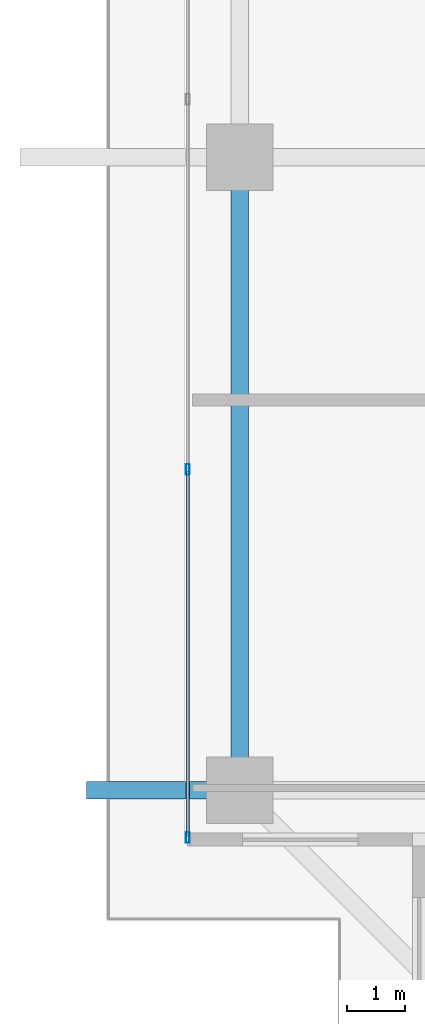
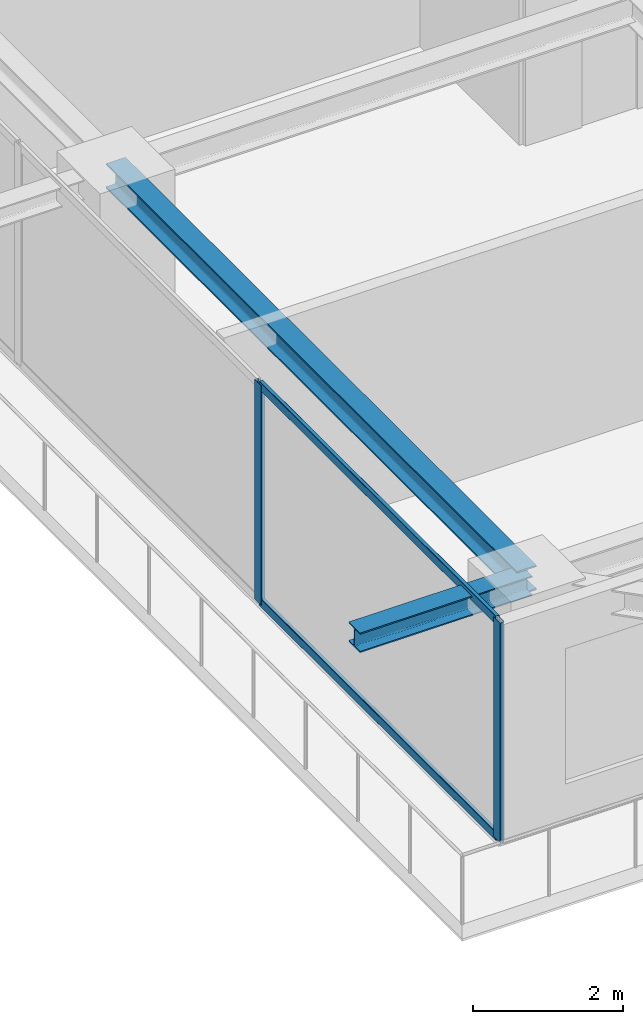
# One storey, part 3 of 37: 4 members, 2 beams, 1 element without a shape of its own.
"""IFC4 building model written with IfcOpenShell, lengths in metres."""

from ifc_helpers import new_model, si_unit, direction, frame, origin, origin_2d, place, context, subcontext, project, spatial, hollow_rectangle, i_section, extrude, source, transform, mapped, material, layer, layer_set, material_profile, profile_set, type_object, element, aggregate, save


model = new_model("IFC4")

# Units and contexts
model_context = context("Model", 3, precision=1e-05, world=origin(), true_north=direction((0.0, 1.0)))
body_context = subcontext(model_context, "Body", "Model", "MODEL_VIEW")
ifc_project = project(units=[si_unit("LENGTHUNIT", "METRE"), si_unit("AREAUNIT", "SQUARE_METRE"), si_unit("VOLUMEUNIT", "CUBIC_METRE"), si_unit("PLANEANGLEUNIT", "RADIAN"), si_unit("MASSUNIT", "GRAM", prefix="KILO")], contexts=[model_context])

# Site, building, storey
site_placement = place(None, origin())
site = spatial("IfcSite", under=ifc_project, at=site_placement, CompositionType="ELEMENT")
building_placement = place(site_placement, origin())
building = spatial("IfcBuilding", under=site, at=building_placement, Name="Serunith Strait Residences", CompositionType="ELEMENT")
storey_placement = place(building_placement, frame((0.0, 0.0, 233.550048828125)))
storey = spatial("IfcBuildingStorey", under=building, at=storey_placement, Name="L58", CompositionType="ELEMENT", Elevation=233.550048828125)

# Beams
ifc_material_1 = material(Name="Steel S355J2", Category="steel")
ifc_material_profile_1 = material_profile(ifc_material_1, i_section(OverallWidth=0.300048828125, OverallDepth=0.39990234375, WebThickness=0.013427734375, FlangeThickness=0.02392578125, FilletRadius=0.027099609375, at=origin_2d()), Name="HEB 400")
ifc_profile_set_1 = profile_set([ifc_material_profile_1], Name="Steel S355J2")
beam_type_1 = type_object("IfcBeamType", Name="BM-HEB400", PredefinedType="BEAM", material=ifc_profile_set_1)
shared_shape_1 = source(origin(), body_context, "Body", "SweptSolid", [
    extrude(i_section(OverallWidth=0.300048828125, OverallDepth=0.39990234375, WebThickness=0.013427734375, FlangeThickness=0.02392578125, FilletRadius=0.027099609375, at=origin_2d()), origin(), (0.0, 0.0, 1.0), 10.949951171875),
])
beam_1_placement = place(storey_placement, frame((8.300048828125, 21.0, 3.386962890625), z_axis=(0.0, -1.0, 0.0), x_axis=(1.0, 0.0, 0.0)))
element("IfcBeam", 1, at=beam_1_placement, inside=storey, type_object=beam_type_1, Name="L58 Perimeter Ring Beam 15", PredefinedType="BEAM", context=body_context, shape_type="MappedRepresentation", body=[
    mapped(shared_shape_1, transform((0.0, 0.0, 0.0), scale=1.0)),
])
ifc_material_profile_2 = material_profile(ifc_material_1, i_section(OverallWidth=0.300048828125, OverallDepth=0.320068359375, WebThickness=0.011474609375, FlangeThickness=0.0205078125, FilletRadius=0.027099609375, at=origin_2d()), Name="HEB 320")
ifc_profile_set_2 = profile_set([ifc_material_profile_2], Name="Steel S355J2")
beam_type_2 = type_object("IfcBeamType", Name="BM-HEB320", PredefinedType="BEAM", material=ifc_profile_set_2)
shared_shape_2 = source(origin(), body_context, "Body", "SweptSolid", [
    extrude(i_section(OverallWidth=0.300048828125, OverallDepth=0.320068359375, WebThickness=0.011474609375, FlangeThickness=0.0205078125, FilletRadius=0.027099609375, at=origin_2d()), origin(), (0.0, 0.0, 1.0), 2.6513671875),
])
beam_2_placement = place(storey_placement, frame((8.300048828125, 10.050048828125, 3.39697265625), z_axis=(-1.0, 0.0, 0.0), x_axis=(0.0, -1.0, 0.0)))
element("IfcBeam", 2, at=beam_2_placement, inside=storey, type_object=beam_type_2, Name="L59 Cantilevered Balcony Rib TC-W1", PredefinedType="BEAM", context=body_context, shape_type="MappedRepresentation", body=[
    mapped(shared_shape_2, transform((0.0, 0.0, 0.0), scale=1.0)),
])

# Curtain wall, members
ifc_material_2 = material(Name="Pale-Champagne Anodised Aluminium", Category="aluminium")
ifc_layer = layer(ifc_material_2, 0.199951171875, Name="Pale-Champagne Anodised Aluminium")
ifc_layer_set = layer_set([ifc_layer], Name="Pale-Champagne Anodised Aluminium")
curtain_wall_type = type_object("IfcCurtainWallType", Name="CW-SYS4", PredefinedType="NOTDEFINED", material=ifc_layer_set)
curtain_wall_placement = place(storey_placement, origin())
curtain_wall = element("IfcCurtainWall", 3, at=curtain_wall_placement, inside=storey, type_object=curtain_wall_type, Name="L58 W Unitised Fritted Curtain Wall", PredefinedType="NOTDEFINED")
ifc_material_profile_3 = material_profile(ifc_material_2, hollow_rectangle(XDim=0.06494140625, YDim=0.179931640625, WallThickness=0.00341796875, InnerFilletRadius=0.00537109375, OuterFilletRadius=0.0087890625, at=origin_2d()), Name="ALU 180x65x3.5")
ifc_profile_set_3 = profile_set([ifc_material_profile_3], Name="Pale-Champagne Anodised Aluminium")
member_type_1 = type_object("IfcMemberType", Name="CW-SYS4-MULL", PredefinedType="MULLION", material=ifc_profile_set_3)
shared_shape_3 = source(origin(), body_context, "Body", "SweptSolid", [
    extrude(hollow_rectangle(XDim=0.06494140625, YDim=0.179931640625, WallThickness=0.00341796875, InnerFilletRadius=0.00537109375, OuterFilletRadius=0.0087890625, at=origin_2d()), origin(), (0.0, 0.0, 1.0), 3.574951171875),
])
member_1_placement = place(storey_placement, frame((7.39990234375, 15.60009765625, 0.0), z_axis=(0.0, 0.0, 1.0), x_axis=(1.0, 0.0, 0.0)))
member_1 = element("IfcMember", 4, at=member_1_placement, type_object=member_type_1, Name="CW-4 mullion 5", PredefinedType="MULLION", context=body_context, shape_type="MappedRepresentation", body=[
    mapped(shared_shape_3, transform((0.0, 0.0, 0.0), scale=1.0)),
])
member_2_placement = place(storey_placement, frame((7.39990234375, 9.232421875, 0.0), z_axis=(0.0, 0.0, 1.0), x_axis=(1.0, 0.0, 0.0)))
member_2 = element("IfcMember", 5, at=member_2_placement, type_object=member_type_1, Name="CW-4 mullion 6", PredefinedType="MULLION", context=body_context, shape_type="MappedRepresentation", body=[
    mapped(shared_shape_3, transform((0.0, 0.0, 0.0), scale=1.0)),
])
ifc_material_profile_4 = material_profile(ifc_material_2, hollow_rectangle(XDim=0.06005859375, YDim=0.139892578125, WallThickness=0.00341796875, InnerFilletRadius=0.00537109375, OuterFilletRadius=0.0087890625, at=origin_2d()), Name="ALU 140x60x3.5")
ifc_profile_set_4 = profile_set([ifc_material_profile_4], Name="Pale-Champagne Anodised Aluminium")
member_type_2 = type_object("IfcMemberType", Name="CW-SYS4-TRAN", PredefinedType="USERDEFINED", material=ifc_profile_set_4)
shared_shape_4 = source(origin(), body_context, "Body", "SweptSolid", [
    extrude(hollow_rectangle(XDim=0.06005859375, YDim=0.139892578125, WallThickness=0.00341796875, InnerFilletRadius=0.00537109375, OuterFilletRadius=0.0087890625, at=origin_2d()), origin(), (0.0, 0.0, 1.0), 6.302490234375),
])
member_3_placement = place(storey_placement, frame((7.39990234375, 15.5673828125, 0.030029296875), z_axis=(0.0, -1.0, 0.0), x_axis=(1.0, 0.0, 0.0)))
member_3 = element("IfcMember", 6, at=member_3_placement, type_object=member_type_2, Name="CW-4 transom 5.1", ObjectType="TRANSOM", PredefinedType="USERDEFINED", context=body_context, shape_type="MappedRepresentation", body=[
    mapped(shared_shape_4, transform((0.0, 0.0, 0.0), scale=1.0)),
])
member_4_placement = place(storey_placement, frame((7.39990234375, 15.5673828125, 3.544921875), z_axis=(0.0, -1.0, 0.0), x_axis=(1.0, 0.0, 0.0)))
member_4 = element("IfcMember", 7, at=member_4_placement, type_object=member_type_2, Name="CW-4 transom 5.2", ObjectType="TRANSOM", PredefinedType="USERDEFINED", context=body_context, shape_type="MappedRepresentation", body=[
    mapped(shared_shape_4, transform((0.0, 0.0, 0.0), scale=1.0)),
])
aggregate(curtain_wall, [member_1, member_2, member_3, member_4])

save(model, "model.ifc")
